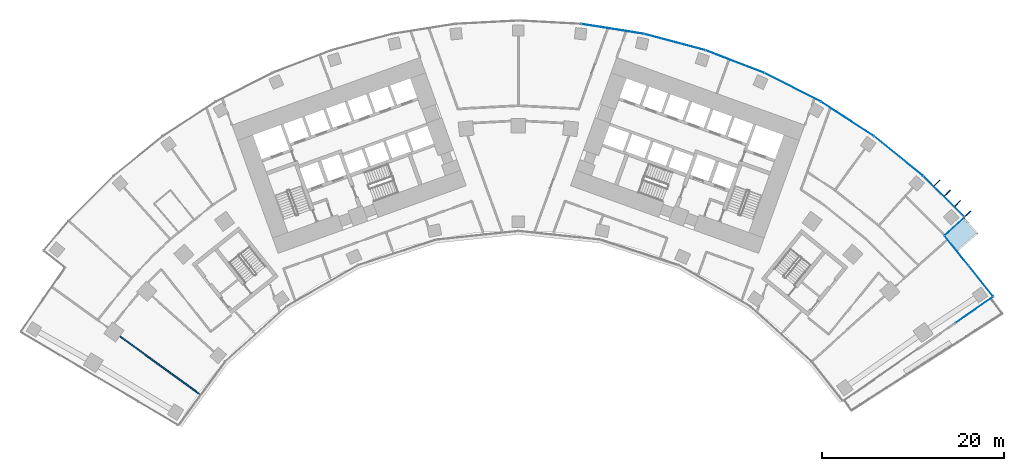
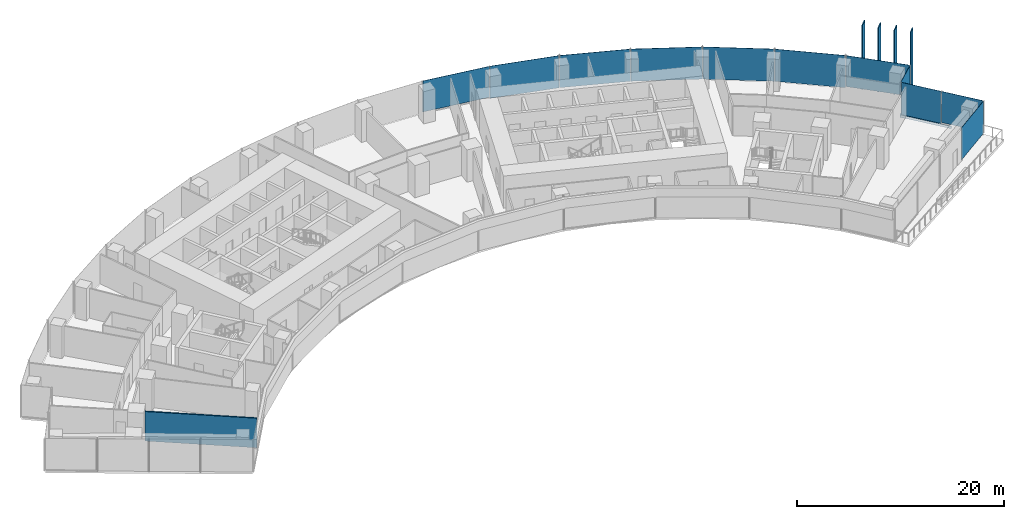
# One storey, part 13 of 21: 15 plates, 1 slab, 1 wall, 4 elements without a shape of their own.
"""IFC4 building model written with IfcOpenShell, lengths in metres."""

from ifc_helpers import new_model, si_unit, direction, frame, frame_2d, origin, origin_2d, place, context, subcontext, project, spatial, polyline, rectangle, outline, extrude, material, layer, layer_set, type_object, element, aggregate, save


model = new_model("IFC4")

# Units and contexts
model_context = context("Model", 3, precision=1e-05, world=origin(), true_north=direction((0.0, 1.0)))
body_context = subcontext(model_context, "Body", "Model", "MODEL_VIEW")
ifc_project = project(units=[si_unit("LENGTHUNIT", "METRE"), si_unit("AREAUNIT", "SQUARE_METRE"), si_unit("VOLUMEUNIT", "CUBIC_METRE"), si_unit("PLANEANGLEUNIT", "RADIAN"), si_unit("MASSUNIT", "GRAM", prefix="KILO")], contexts=[model_context])

# Site, building, storey
site_placement = place(None, origin())
site = spatial("IfcSite", under=ifc_project, at=site_placement, CompositionType="ELEMENT")
building_placement = place(site_placement, origin())
building = spatial("IfcBuilding", under=site, at=building_placement, Name="Stone Belt Terrace Tower", CompositionType="ELEMENT")
storey_placement = place(building_placement, frame((0.0, 0.0, 56.60009765625)))
storey = spatial("IfcBuildingStorey", under=building, at=storey_placement, Name="L13", CompositionType="ELEMENT", Elevation=56.60009765625)

# Curtain wall, plates
ifc_material_1 = material(Name="Aluminium 6063-T6 anodised frame", Category="aluminium")
ifc_layer_1 = layer(ifc_material_1, 0.14990234375)
ifc_layer_set_1 = layer_set([ifc_layer_1], Name="CW-A unitised convex-face curtain wall")
curtain_wall_type_1 = type_object("IfcCurtainWallType", Name="CW-A unitised convex-face curtain wall", PredefinedType="NOTDEFINED", material=ifc_layer_set_1)
curtain_wall_1_placement = place(storey_placement, origin())
curtain_wall_1 = element("IfcCurtainWall", 1, at=curtain_wall_1_placement, inside=storey, type_object=curtain_wall_type_1, Name="CW-A convex face L13", PredefinedType="NOTDEFINED")
ifc_material_2 = material(Name="Clear double glazed unit")
ifc_layer_2 = layer(ifc_material_2, 0.031982421875)
ifc_layer_set_2 = layer_set([ifc_layer_2], Name="CW-A glass panel 32")
plate_type_1 = type_object("IfcPlateType", Name="CW-A glass panel 32", PredefinedType="CURTAIN_PANEL", material=ifc_layer_set_2)
plate_1_placement = place(storey_placement, frame((46.811279296875, 47.232421875, 0.14013671875), z_axis=(0.0, 0.0, 1.0), x_axis=(-0.710443481945, 0.703754260351, 0.0)))
plate_1 = element("IfcPlate", 2, at=plate_1_placement, type_object=plate_type_1, Name="CW-A panel 1.1", PredefinedType="CURTAIN_PANEL", context=body_context, shape_type="SweptSolid", body=[
    extrude(rectangle(XDim=6.30615234375, YDim=0.031982421875, at=origin_2d()), origin(), (0.0, 0.0, 1.0), 3.659912109375),
])
plate_2_placement = place(storey_placement, frame((41.839599609375, 51.667724609375, 0.0), z_axis=(0.0, 0.0, 1.0), x_axis=(-0.777145961457, 0.62932039105, 0.0)))
plate_2 = element("IfcPlate", 3, at=plate_2_placement, type_object=plate_type_1, Name="CW-A panel 2.1", PredefinedType="CURTAIN_PANEL", context=body_context, shape_type="SweptSolid", body=[
    extrude(rectangle(XDim=6.90087890625, YDim=0.031982421875, at=origin_2d()), origin(), (0.0, 0.0, 1.0), 3.800048828125),
])
plate_3_placement = place(storey_placement, frame((36.209716796875, 55.758056640625, 0.0), z_axis=(0.0, 0.0, 1.0), x_axis=(-0.838670567945, 0.544639035015, 0.0)))
plate_3 = element("IfcPlate", 4, at=plate_3_placement, type_object=plate_type_1, Name="CW-A panel 3.1", PredefinedType="CURTAIN_PANEL", context=body_context, shape_type="SweptSolid", body=[
    extrude(rectangle(XDim=6.90087890625, YDim=0.031982421875, at=origin_2d()), origin(), (0.0, 0.0, 1.0), 3.800048828125),
])
plate_4_placement = place(storey_placement, frame((30.18310546875, 59.237548828125, 0.0), z_axis=(0.0, 0.0, 1.0), x_axis=(-0.891006524188, 0.45399049974, 0.0)))
plate_4 = element("IfcPlate", 5, at=plate_4_placement, type_object=plate_type_1, Name="CW-A panel 4.1", PredefinedType="CURTAIN_PANEL", context=body_context, shape_type="SweptSolid", body=[
    extrude(rectangle(XDim=6.90087890625, YDim=0.031982421875, at=origin_2d()), origin(), (0.0, 0.0, 1.0), 3.800048828125),
])
plate_5_placement = place(storey_placement, frame((23.82568359375, 62.068115234375, 0.0), z_axis=(0.0, 0.0, 1.0), x_axis=(-0.933580426497, 0.358367949545, 0.0)))
plate_5 = element("IfcPlate", 6, at=plate_5_placement, type_object=plate_type_1, Name="CW-A panel 5.1", PredefinedType="CURTAIN_PANEL", context=body_context, shape_type="SweptSolid", body=[
    extrude(rectangle(XDim=6.90087890625, YDim=0.031982421875, at=origin_2d()), origin(), (0.0, 0.0, 1.0), 3.800048828125),
])
plate_6_placement = place(storey_placement, frame((17.207275390625, 64.218505859375, 0.0), z_axis=(0.0, 0.0, 1.0), x_axis=(-0.965925826289, 0.258819045103, 0.0)))
plate_6 = element("IfcPlate", 7, at=plate_6_placement, type_object=plate_type_1, Name="CW-A panel 6.1", PredefinedType="CURTAIN_PANEL", context=body_context, shape_type="SweptSolid", body=[
    extrude(rectangle(XDim=6.90087890625, YDim=0.031982421875, at=origin_2d()), origin(), (0.0, 0.0, 1.0), 3.800048828125),
])
plate_7_placement = place(storey_placement, frame((10.400390625, 65.665283203125, 0.14013671875), z_axis=(0.0, 0.0, 1.0), x_axis=(-0.987688340595, 0.15643446504, 0.0)))
plate_7 = element("IfcPlate", 8, at=plate_7_placement, type_object=plate_type_1, Name="CW-A panel 7.1", PredefinedType="CURTAIN_PANEL", context=body_context, shape_type="SweptSolid", body=[
    extrude(rectangle(XDim=6.90087890625, YDim=0.031982421875, at=origin_2d()), origin(), (0.0, 0.0, 1.0), 3.659912109375),
])
aggregate(curtain_wall_1, [plate_1, plate_2, plate_3, plate_4, plate_5, plate_6, plate_7])

# Curtain wall, plate
ifc_layer_3 = layer(ifc_material_1, 0.14990234375)
ifc_layer_set_3 = layer_set([ifc_layer_3], Name="CW-C stick curtain wall, horn ends and notches")
curtain_wall_type_2 = type_object("IfcCurtainWallType", Name="CW-C stick curtain wall, horn ends and notches", PredefinedType="NOTDEFINED", material=ifc_layer_set_3)
curtain_wall_2_placement = place(storey_placement, origin())
curtain_wall_2 = element("IfcCurtainWall", 9, at=curtain_wall_2_placement, inside=storey, type_object=curtain_wall_type_2, Name="CW-C end face L13", PredefinedType="NOTDEFINED")
ifc_layer_4 = layer(ifc_material_2, 0.028076171875)
ifc_layer_set_4 = layer_set([ifc_layer_4], Name="CW-C glass panel 28")
plate_type_2 = type_object("IfcPlateType", Name="CW-C glass panel 28", PredefinedType="CURTAIN_PANEL", material=ifc_layer_set_4)
plate_8_placement = place(storey_placement, frame((50.15478515625, 34.751220703125, 0.0), z_axis=(0.0, 0.0, 1.0), x_axis=(0.821271674793, 0.570537322339, 0.0)))
plate_8 = element("IfcPlate", 10, at=plate_8_placement, type_object=plate_type_2, Name="CW-C panel 4.1", PredefinedType="CURTAIN_PANEL", context=body_context, shape_type="SweptSolid", body=[
    extrude(rectangle(XDim=4.974853515625, YDim=0.028076171875, at=origin_2d()), origin(), (0.0, 0.0, 1.0), 3.800048828125),
])
aggregate(curtain_wall_2, [plate_8])

# Curtain wall, plates
curtain_wall_3_placement = place(storey_placement, origin())
curtain_wall_3 = element("IfcCurtainWall", 11, at=curtain_wall_3_placement, inside=storey, type_object=curtain_wall_type_2, Name="CW-C notch face L13", PredefinedType="NOTDEFINED")
plate_9_placement = place(storey_placement, frame((50.87890625, 37.938720703125, 0.1201171875), z_axis=(0.0, 0.0, 1.0), x_axis=(-0.624763912959, 0.780813712139, 0.0)))
plate_9 = element("IfcPlate", 12, at=plate_9_placement, type_object=plate_type_2, Name="CW-C panel 1.1", PredefinedType="CURTAIN_PANEL", context=body_context, shape_type="SweptSolid", body=[
    extrude(rectangle(XDim=4.268798828125, YDim=0.028076171875, at=origin_2d()), origin(), (0.0, 0.0, 1.0), 3.679931640625),
])
plate_10_placement = place(storey_placement, frame((48.220947265625, 41.2607421875, 0.0), z_axis=(0.0, 0.0, 1.0), x_axis=(-0.624763912959, 0.780813712139, 0.0)))
plate_10 = element("IfcPlate", 13, at=plate_10_placement, type_object=plate_type_2, Name="CW-C panel 2.1", PredefinedType="CURTAIN_PANEL", context=body_context, shape_type="SweptSolid", body=[
    extrude(rectangle(XDim=4.12060546875, YDim=0.028076171875, at=origin_2d()), origin(), (0.0, 0.0, 1.0), 3.800048828125),
])
aggregate(curtain_wall_3, [plate_9, plate_10])

# Curtain wall, plate
curtain_wall_4_placement = place(storey_placement, origin())
curtain_wall_4 = element("IfcCurtainWall", 14, at=curtain_wall_4_placement, inside=storey, type_object=curtain_wall_type_2, Name="CW-C notch face L13", PredefinedType="NOTDEFINED")
plate_11_placement = place(storey_placement, frame((47.99560546875, 43.94287109375, 0.1201171875), z_axis=(0.0, 0.0, 1.0), x_axis=(0.736781676311, 0.676130728078, 0.0)))
plate_11 = element("IfcPlate", 15, at=plate_11_placement, type_object=plate_type_2, Name="CW-C panel 1.1", PredefinedType="CURTAIN_PANEL", context=body_context, shape_type="SweptSolid", body=[
    extrude(rectangle(XDim=2.8603515625, YDim=0.028076171875, at=origin_2d()), origin(), (0.0, 0.0, 1.0), 3.679931640625),
])
aggregate(curtain_wall_4, [plate_11])

# Slab
ifc_material_3 = material(Name="Concrete B40", Category="concrete")
ifc_layer_5 = layer(ifc_material_3, 0.300048828125)
ifc_layer_set_5 = layer_set([ifc_layer_5], Name="Terrace slab 300 B40")
slab_type = type_object("IfcSlabType", Name="Terrace slab 300 B40", PredefinedType="FLOOR", material=ifc_layer_set_5)
slab_placement = place(storey_placement, frame((0.0, 0.0, -0.300048828125)))
element("IfcSlab", 16, at=slab_placement, inside=storey, type_object=slab_type, Name="Terrace slab L13-notch_roof-2", PredefinedType="FLOOR", context=body_context, shape_type="SweptSolid", body=[
    extrude(outline(polyline([(50.59814453125, 43.151611328125), (49.419189453125, 44.497314453125), (48.973876953125, 44.9423828125), (46.78564453125, 42.934326171875), (50.12548828125, 38.76025390625), (50.12841796875, 38.762451171875), (48.315673828125, 41.205078125), (50.59814453125, 43.151611328125)])), origin(), (0.0, 0.0, 1.0), 0.300048828125),
])

# Plates
ifc_material_4 = material(Name="Terracotta coloured glazed ceramic", Category="masonry")
ifc_layer_6 = layer(ifc_material_4, 0.10009765625)
ifc_layer_set_6 = layer_set([ifc_layer_6], Name="Terracotta fin 100 x 900")
plate_type_3 = type_object("IfcPlateType", Name="Terracotta fin 100 x 900", PredefinedType="SHEET", material=ifc_layer_set_6)
for number, where, z_axis, x_axis, name in (
    (17, (49.47412109375, 45.33349609375, -0.000244140625), (0.0, 0.0, 1.0), (0.703754260351, 0.710443481945, 0.0), "FIN L13 1.1"),
    (18, (48.334716796875, 46.462158203125, -0.000244140625), (0.0, 0.0, 1.0), (0.703754260351, 0.710443481945, 0.0), "FIN L13 1.2"),
    (19, (47.195556640625, 47.5908203125, -0.000244140625), (0.0, 0.0, 1.0), (0.703754260351, 0.710443481945, 0.0), "FIN L13 1.3"),
    (20, (46.05615234375, 48.719482421875, -0.000244140625), (0.0, 0.0, 1.0), (0.703754260351, 0.710443481945, 0.0), "FIN L13 1.4"),
):
    element("IfcPlate", number, at=place(storey_placement, frame(where, z_axis=z_axis, x_axis=x_axis)), inside=storey, type_object=plate_type_3, Name=name, PredefinedType="SHEET", context=body_context, shape_type="SweptSolid", body=[
        extrude(rectangle(XDim=0.89990234375, YDim=0.10009765625, at=origin_2d()), origin(), (0.0, 0.0, 1.0), 7.60009765625),
    ])

# Wall
ifc_material_5 = material(Name="Gypsum board partition")
ifc_layer_7 = layer(ifc_material_5, 0.14990234375)
ifc_layer_set_7 = layer_set([ifc_layer_7], Name="PARTITION 150 EI 60")
wall_type = type_object("IfcWallType", Name="PARTITION 150 EI 60", PredefinedType="PARTITIONING", material=ifc_layer_set_7)
wall_placement = place(storey_placement, frame((-43.82470703125, 31.83984375, 0.0), z_axis=(0.0, 0.0, 1.0), x_axis=(0.80903281135, -0.587763481478, 0.0)))
element("IfcWall", 21, at=wall_placement, inside=storey, type_object=wall_type, Name="L13/wall/i038", PredefinedType="PARTITIONING", context=body_context, shape_type="SweptSolid", body=[
    extrude(rectangle(XDim=10.883544921875, YDim=0.14990234375, at=frame_2d((5.44189453125, 0.0))), origin(), (0.0, 0.0, 1.0), 3.47998046875),
])

save(model, "model.ifc")
